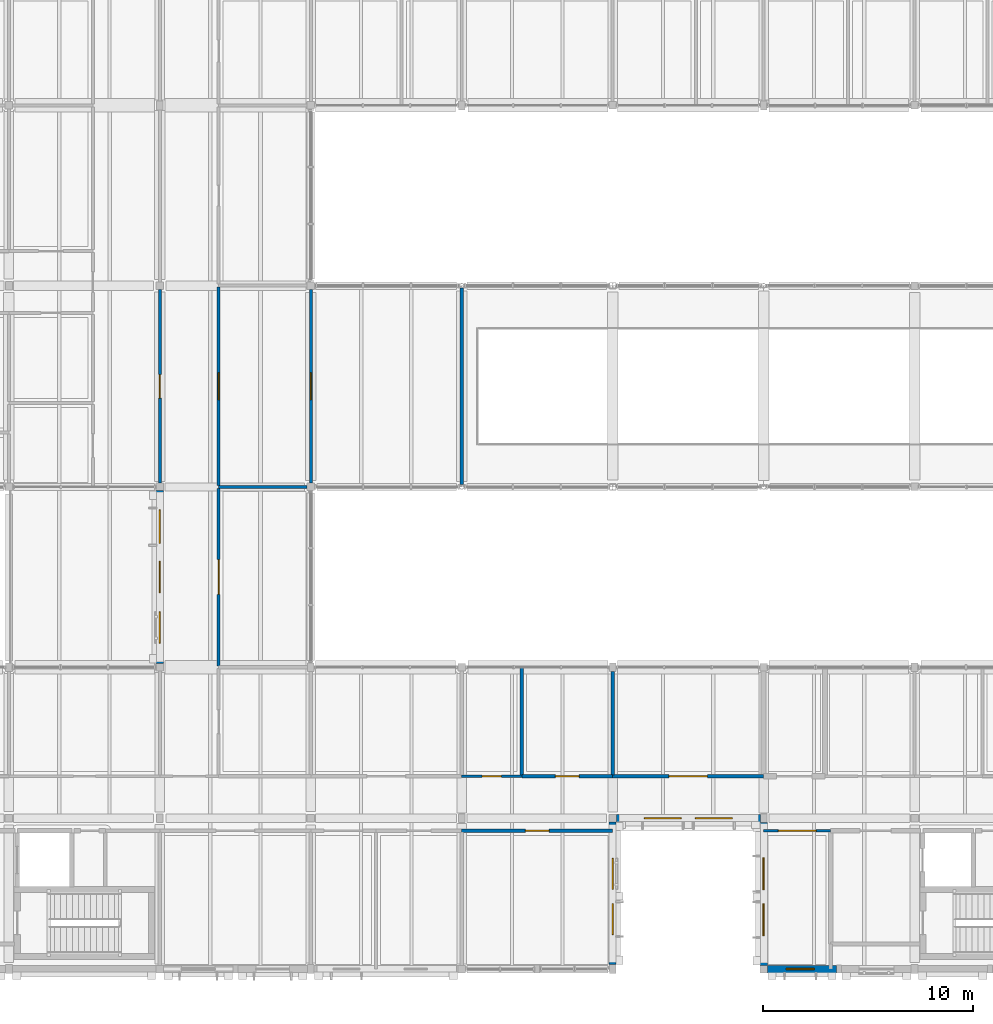
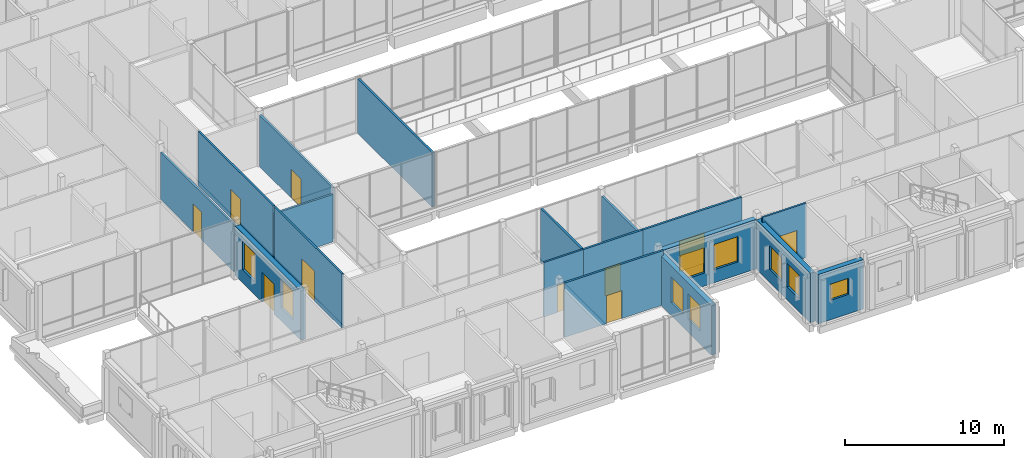
# One storey, part 106 of 146: 18 walls, 10 doors, 9 windows, 19 openings.
"""IFC4 building model written with IfcOpenShell, lengths in metres."""

import ifcopenshell
import ifcopenshell.guid

model = None  # the IFC model being written
_history = None  # IfcOwnerHistory: only IFC2X3 demands one
_inside = {}  # id of a spatial element -> (the spatial element, [elements in it])
_under = {}  # id of a project, library or spatial element -> (it, [spatial elements below it])
_declared = {}  # id of a project -> (the project, [libraries it declares])
_typed = {}  # id of a type object -> (the type object, [elements of that type])
_made_of = {}  # id of a material, layer set ... -> (it, [elements and type objects made of it])


def new_model(schema):
    """Start an empty IFC model of exactly this schema.

    Asked for "IFC4X3", IfcOpenShell would pick the latest addendum, in which some entities
    have other attributes; the version numbers below select the first issue.
    IFC2X3 requires an IfcOwnerHistory on every rooted entity: one is made here for all.
    """
    global model, _history
    if schema == "IFC4X3":
        model = ifcopenshell.file(schema_version=(4, 3, 0, 0))
    else:
        model = ifcopenshell.file(schema=schema)
    _inside.clear()
    _under.clear()
    _declared.clear()
    _typed.clear()
    _made_of.clear()
    _history = None
    if model.schema == "IFC2X3":
        org = make("IfcOrganization", Name="unknown")
        user = make(
            "IfcPersonAndOrganization",
            ThePerson=make("IfcPerson", FamilyName="unknown"),
            TheOrganization=org,
        )
        app = make(
            "IfcApplication",
            ApplicationDeveloper=org,
            Version="unknown",
            ApplicationFullName="unknown",
            ApplicationIdentifier="unknown",
        )
        _history = make(
            "IfcOwnerHistory",
            OwningUser=user,
            OwningApplication=app,
            ChangeAction="ADDED",
            CreationDate=0,
        )
    return model


def make(cls, **values):
    """One entity of the class cls with the attributes given. An attribute that is None is left unset."""
    return model.create_entity(
        cls, **{name: value for name, value in values.items() if value is not None}
    )


def rooted(cls, **values):
    """An entity with a GlobalId (a new one), such as an element, a storey or a relation."""
    return make(cls, GlobalId=ifcopenshell.guid.new(), OwnerHistory=_history, **values)


def si_unit(unit_type, name, prefix=None):
    """IfcSIUnit, for example si_unit("LENGTHUNIT", "METRE", prefix="MILLI")."""
    return make("IfcSIUnit", UnitType=unit_type, Prefix=prefix, Name=name)


def assignment(units):
    """IfcUnitAssignment: the units of a project."""
    return None if units is None else make("IfcUnitAssignment", Units=units)


def point(xyz):
    """IfcCartesianPoint."""
    return None if xyz is None else make("IfcCartesianPoint", Coordinates=xyz)


def direction(xyz):
    """IfcDirection."""
    return None if xyz is None else make("IfcDirection", DirectionRatios=xyz)


def frame(location, z_axis=None, x_axis=None):
    """IfcAxis2Placement3D, a coordinate frame: its origin and axes. An axis left out is left unset."""
    return make(
        "IfcAxis2Placement3D",
        Location=point(location),
        Axis=direction(z_axis),
        RefDirection=direction(x_axis),
    )


def frame_2d(location, x_axis=None):
    """IfcAxis2Placement2D, a coordinate frame in the plane: its origin and x axis."""
    return make(
        "IfcAxis2Placement2D", Location=point(location), RefDirection=direction(x_axis)
    )


def origin():
    """The frame at (0, 0, 0) with its axes left unset."""
    return frame((0.0, 0.0, 0.0))


def place(relative_to, where):
    """IfcLocalPlacement: puts the frame where relative to a parent placement (None: the world)."""
    return make(
        "IfcLocalPlacement", PlacementRelTo=relative_to, RelativePlacement=where
    )


def context(
    kind, dimensions, precision=None, world=None, true_north=None, identifier=None
):
    """IfcGeometricRepresentationContext, for example the 3D "Model" context."""
    return make(
        "IfcGeometricRepresentationContext",
        ContextIdentifier=identifier,
        ContextType=kind,
        CoordinateSpaceDimension=dimensions,
        Precision=precision,
        WorldCoordinateSystem=world,
        TrueNorth=true_north,
    )


def subcontext(parent, identifier, kind, view, scale=None):
    """IfcGeometricRepresentationSubContext, for example "Body" below "Model"."""
    return make(
        "IfcGeometricRepresentationSubContext",
        ContextIdentifier=identifier,
        ContextType=kind,
        ParentContext=parent,
        TargetScale=scale,
        TargetView=view,
    )


def project(units=None, contexts=None):
    """IfcProject with its units and contexts."""
    return rooted(
        "IfcProject",
        Name="project",
        RepresentationContexts=contexts,
        UnitsInContext=assignment(units),
    )


def spatial(cls, under=None, at=None, **own):
    """A site, building, storey or space (cls), placed at a placement, below another one or the project."""
    s = rooted(cls, ObjectPlacement=at, **own)
    if under is not None:
        _under.setdefault(under.id(), (under, []))[1].append(s)
    return s


def profile(cls, at=None, kind="AREA", **sizes):
    """A parametric profile (cls). Its sizes go by their IFC names, for example OverallWidth=200.0."""
    return make(cls, ProfileType=kind, Position=at, **sizes)


def rectangle(**sizes):
    """IfcRectangleProfileDef."""
    return profile("IfcRectangleProfileDef", **sizes)


def extrude(swept, where, along, depth):
    """IfcExtrudedAreaSolid: the profile swept, set in the frame where, extruded along a direction by depth."""
    return make(
        "IfcExtrudedAreaSolid",
        SweptArea=swept,
        Position=where,
        ExtrudedDirection=direction(along),
        Depth=depth,
    )


def shape(context_of_items, identifier, shape_type, items):
    """IfcShapeRepresentation: the items that make up one representation, for example the "Body"."""
    return make(
        "IfcShapeRepresentation",
        ContextOfItems=context_of_items,
        RepresentationIdentifier=identifier,
        RepresentationType=shape_type,
        Items=items,
    )


def material(Name=None, Category=None):
    """IfcMaterial."""
    return make("IfcMaterial", Name=Name, Category=Category)


def layer(
    of_material, thickness, ventilated=None, Name=None, Category=None, Priority=None
):
    """IfcMaterialLayer: one layer of a wall or slab, of a material (None: an air gap)."""
    return make(
        "IfcMaterialLayer",
        Material=of_material,
        LayerThickness=thickness,
        IsVentilated=ventilated,
        Name=Name,
        Category=Category,
        Priority=Priority,
    )


def layer_set(layers, Name=None):
    """IfcMaterialLayerSet."""
    return make("IfcMaterialLayerSet", MaterialLayers=layers, LayerSetName=Name)


def made_of(thing, what):
    """Note that an element or type object is made of a material, layer set ...; save() writes the relation."""
    if what is not None:
        _made_of.setdefault(what.id(), (what, []))[1].append(thing)
    return thing


def type_object(cls, material=None, **own):
    """A type object (cls), such as IfcWallType, which elements share."""
    return made_of(rooted(cls, **own), material)


def element(
    cls,
    number,
    at=None,
    inside=None,
    cuts=None,
    type_object=None,
    material=None,
    context=None,
    identifier="Body",
    shape_type=None,
    held_by="IfcProductDefinitionShape",
    body=None,
    shapes=None,
    **own,
):
    """One element of the class cls, such as IfcWall. Its Tag is "e" and its number.

    at: its placement. inside: the storey or other place that contains it. cuts: it is an
    opening in that element (IfcRelVoidsElement). A single representation is given by context,
    identifier, shape_type and body (its items); several are given by shapes. held_by: the class
    of the entity that holds the representations. save() writes the other relations.
    """
    e = rooted(cls, Tag="e%d" % number, ObjectPlacement=at, **own)
    if body is not None:
        shapes = [shape(context, identifier, shape_type, body)]
    if shapes is not None:
        e.Representation = make(held_by, Representations=shapes)
    if inside is not None:
        _inside.setdefault(inside.id(), (inside, []))[1].append(e)
    if cuts is not None:
        rooted(
            "IfcRelVoidsElement", RelatingBuildingElement=cuts, RelatedOpeningElement=e
        )
    if type_object is not None:
        _typed.setdefault(type_object.id(), (type_object, []))[1].append(e)
    return made_of(e, material)


def fill(opening, filler):
    """IfcRelFillsElement: the door or window that sits in an opening."""
    return rooted(
        "IfcRelFillsElement",
        RelatingOpeningElement=opening,
        RelatedBuildingElement=filler,
    )


def aggregate(whole, parts):
    """IfcRelAggregates: a whole, such as a stair, and the parts it consists of."""
    return rooted("IfcRelAggregates", RelatingObject=whole, RelatedObjects=parts)


def save(model, path):
    """Write the relations noted so far, then the file.

    IfcRelAggregates (storeys below a building ...), IfcRelContainedInSpatialStructure (elements
    in a storey), IfcRelDefinesByType, IfcRelAssociatesMaterial and IfcRelDeclares: one each for
    every whole, place, type object, material and project.
    """
    for whole, parts in _under.values():
        aggregate(whole, parts)
    for where, things in _inside.values():
        rooted(
            "IfcRelContainedInSpatialStructure",
            RelatedElements=things,
            RelatingStructure=where,
        )
    for kind, things in _typed.values():
        rooted("IfcRelDefinesByType", RelatedObjects=things, RelatingType=kind)
    for what, things in _made_of.values():
        rooted("IfcRelAssociatesMaterial", RelatedObjects=things, RelatingMaterial=what)
    for by, libraries in _declared.values():
        rooted("IfcRelDeclares", RelatingContext=by, RelatedDefinitions=libraries)
    model.write(path)


model = new_model("IFC4")

# Units and contexts
model_context = context("Model", 3, precision=1e-05, world=origin(), true_north=direction((0.0, 1.0)))
body_context = subcontext(model_context, "Body", "Model", "MODEL_VIEW")
ifc_project = project(units=[si_unit("LENGTHUNIT", "METRE"), si_unit("AREAUNIT", "SQUARE_METRE"), si_unit("VOLUMEUNIT", "CUBIC_METRE"), si_unit("PLANEANGLEUNIT", "RADIAN"), si_unit("MASSUNIT", "GRAM", prefix="KILO")], contexts=[model_context])

# Site, building, storey
site_placement = place(None, origin())
site = spatial("IfcSite", under=ifc_project, at=site_placement, CompositionType="ELEMENT")
building_placement = place(site_placement, origin())
building = spatial("IfcBuilding", under=site, at=building_placement, Name="Hawrajan Terrace Health Centre", CompositionType="ELEMENT")
storey_placement = place(building_placement, frame((0.0, 0.0, 4.5)))
storey = spatial("IfcBuildingStorey", under=building, at=storey_placement, Name="L01", CompositionType="ELEMENT", Elevation=4.5)

# Wall, opening, door
ifc_material_1 = material(Name="Gypsum board on acoustic stud framing")
ifc_layer_1 = layer(ifc_material_1, 0.139892578125)
ifc_layer_set_1 = layer_set([ifc_layer_1], Name="Gypsum board on acoustic stud framing")
wall_type_1 = type_object("IfcWallType", Name="ClinicalAcousticWall_140", PredefinedType="PARTITIONING", material=ifc_layer_set_1)
wall_1_placement = place(storey_placement, frame((19.0, 27.3798828125, 0.0), z_axis=(0.0, 0.0, 1.0), x_axis=(0.0, 1.0, 0.0)))
wall_1 = element("IfcWall", 1, at=wall_1_placement, inside=storey, type_object=wall_type_1, Name="Interior wall IW-L01-0546", PredefinedType="PARTITIONING", context=body_context, shape_type="SweptSolid", body=[
    extrude(rectangle(XDim=9.240234375, YDim=0.139892578125, at=frame_2d((4.6201171875, 0.0))), origin(), (0.0, 0.0, 1.0), 3.6201171875),
])
opening_1_placement = place(wall_1_placement, frame((4.06005859375, 0.0, 0.0)))
opening_1 = element("IfcOpeningElement", 2, at=opening_1_placement, cuts=wall_1, Name="Opening D-L01-261", PredefinedType="OPENING", context=body_context, shape_type="SweptSolid", body=[
    extrude(rectangle(XDim=1.1201171875, YDim=2.14990234375, at=frame_2d((0.56005859375, 1.074951171875))), frame((0.0, 0.079833984375, 0.0), z_axis=(0.0, -1.0, 0.0), x_axis=(1.0, 0.0, 0.0)), (0.0, 0.0, 1.0), 0.159912109375),
])
ifc_material_2 = material(Name="Hardwood acoustic clinical door leaf and frame", Category="wood")
door_type_1 = type_object("IfcDoorType", Name="DentalSurgeryDoor_1120x2150", OperationType="NOTDEFINED", PredefinedType="DOOR", material=ifc_material_2)
door_1_placement = place(opening_1_placement, origin())
door_1 = element("IfcDoor", 3, at=door_1_placement, inside=storey, type_object=door_type_1, Name="Interior door D-L01-261", OperationType="SINGLE_SWING_LEFT", OverallHeight=2.14990234375, OverallWidth=1.1201171875, PredefinedType="DOOR", context=body_context, shape_type="SweptSolid", body=[
    extrude(rectangle(XDim=1.1201171875, YDim=2.14990234375, at=frame_2d((0.56005859375, 1.074951171875))), frame((0.0, 0.02490234375, 0.0), z_axis=(0.0, -1.0, 0.0), x_axis=(1.0, 0.0, 0.0)), (0.0, 0.0, 1.0), 0.050048828125),
])
fill(opening_1, door_1)

wall_2_placement = place(storey_placement, frame((21.800048828125, 18.669921875, 0.0), z_axis=(0.0, 0.0, 1.0), x_axis=(0.0, 1.0, 0.0)))
wall_2 = element("IfcWall", 4, at=wall_2_placement, inside=storey, type_object=wall_type_1, Name="Interior wall IW-L01-0553", PredefinedType="PARTITIONING", context=body_context, shape_type="SweptSolid", body=[
    extrude(rectangle(XDim=8.4599609375, YDim=0.139892578125, at=frame_2d((4.22998046875, 0.0))), origin(), (0.0, 0.0, 1.0), 4.179931640625),
])
opening_2_placement = place(wall_2_placement, frame((3.39990234375, 0.0, 0.0)))
opening_2 = element("IfcOpeningElement", 5, at=opening_2_placement, cuts=wall_2, Name="Opening D-L01-305", PredefinedType="OPENING", context=body_context, shape_type="SweptSolid", body=[
    extrude(rectangle(XDim=1.659912109375, YDim=2.300048828125, at=frame_2d((0.830078125, 1.14990234375))), frame((0.0, 0.079833984375, 0.0), z_axis=(0.0, -1.0, 0.0), x_axis=(1.0, 0.0, 0.0)), (0.0, 0.0, 1.0), 0.159912109375),
])
door_type_2 = type_object("IfcDoorType", Name="RehabGymDoor_1660x2300", OperationType="DOUBLE_DOOR_SINGLE_SWING", PredefinedType="DOOR", material=ifc_material_2)
door_2_placement = place(opening_2_placement, origin())
door_2 = element("IfcDoor", 6, at=door_2_placement, inside=storey, type_object=door_type_2, Name="Interior door D-L01-305", OperationType="DOUBLE_DOOR_SINGLE_SWING", OverallHeight=2.300048828125, OverallWidth=1.659912109375, PredefinedType="DOOR", context=body_context, shape_type="SweptSolid", body=[
    extrude(rectangle(XDim=1.659912109375, YDim=2.300048828125, at=frame_2d((0.830078125, 1.14990234375))), frame((0.0, 0.02490234375, 0.0), z_axis=(0.0, -1.0, 0.0), x_axis=(1.0, 0.0, 0.0)), (0.0, 0.0, 1.0), 0.050048828125),
])
fill(opening_2, door_2)

wall_3_placement = place(storey_placement, frame((21.800048828125, 27.27001953125, 0.0), z_axis=(0.0, 0.0, 1.0), x_axis=(0.0, 1.0, 0.0)))
wall_3 = element("IfcWall", 7, at=wall_3_placement, inside=storey, type_object=wall_type_1, Name="Interior wall IW-L01-0555", PredefinedType="PARTITIONING", context=body_context, shape_type="SweptSolid", body=[
    extrude(rectangle(XDim=9.4599609375, YDim=0.139892578125, at=frame_2d((4.72998046875, 0.0))), origin(), (0.0, 0.0, 1.0), 4.179931640625),
])
opening_3_placement = place(wall_3_placement, frame((4.090087890625, 0.0, 0.0)))
opening_3 = element("IfcOpeningElement", 8, at=opening_3_placement, cuts=wall_3, Name="Opening D-L01-291", PredefinedType="OPENING", context=body_context, shape_type="SweptSolid", body=[
    extrude(rectangle(XDim=1.280029296875, YDim=2.199951171875, at=frame_2d((0.64013671875, 1.10009765625))), frame((0.0, 0.079833984375, 0.0), z_axis=(0.0, -1.0, 0.0), x_axis=(1.0, 0.0, 0.0)), (0.0, 0.0, 1.0), 0.159912109375),
])
door_type_3 = type_object("IfcDoorType", Name="ExamSuiteDoor_1280x2200", OperationType="NOTDEFINED", PredefinedType="DOOR", material=ifc_material_2)
door_3_placement = place(opening_3_placement, origin())
door_3 = element("IfcDoor", 9, at=door_3_placement, inside=storey, type_object=door_type_3, Name="Interior door D-L01-291", OperationType="SINGLE_SWING_LEFT", OverallHeight=2.199951171875, OverallWidth=1.280029296875, PredefinedType="DOOR", context=body_context, shape_type="SweptSolid", body=[
    extrude(rectangle(XDim=1.280029296875, YDim=2.199951171875, at=frame_2d((0.64013671875, 1.10009765625))), frame((0.0, 0.02490234375, 0.0), z_axis=(0.0, -1.0, 0.0), x_axis=(1.0, 0.0, 0.0)), (0.0, 0.0, 1.0), 0.050048828125),
])
fill(opening_3, door_3)

# Wall
wall_4_placement = place(storey_placement, frame((21.800048828125, 27.199951171875, 0.0), z_axis=(0.0, 0.0, 1.0), x_axis=(1.0, 0.0, 0.0)))
element("IfcWall", 10, at=wall_4_placement, inside=storey, type_object=wall_type_1, Name="Interior wall IW-L01-0556", PredefinedType="PARTITIONING", context=body_context, shape_type="SweptSolid", body=[
    extrude(rectangle(XDim=4.219970703125, YDim=0.139892578125, at=frame_2d((2.10986328125, 0.0))), origin(), (0.0, 0.0, 1.0), 3.659912109375),
])

# Wall, opening, door
wall_5_placement = place(storey_placement, frame((26.199951171875, 27.3798828125, 0.0), z_axis=(0.0, 0.0, 1.0), x_axis=(0.0, 1.0, 0.0)))
wall_5 = element("IfcWall", 11, at=wall_5_placement, inside=storey, type_object=wall_type_1, Name="Interior wall IW-L01-0567", PredefinedType="PARTITIONING", context=body_context, shape_type="SweptSolid", body=[
    extrude(rectangle(XDim=9.240234375, YDim=0.139892578125, at=frame_2d((4.6201171875, 0.0))), origin(), (0.0, 0.0, 1.0), 3.969970703125),
])
opening_4_placement = place(wall_5_placement, frame((3.97998046875, 0.0, 0.0)))
opening_4 = element("IfcOpeningElement", 12, at=opening_4_placement, cuts=wall_5, Name="Opening D-L01-295", PredefinedType="OPENING", context=body_context, shape_type="SweptSolid", body=[
    extrude(rectangle(XDim=1.280029296875, YDim=2.199951171875, at=frame_2d((0.64013671875, 1.10009765625))), frame((0.0, 0.079833984375, 0.0), z_axis=(0.0, -1.0, 0.0), x_axis=(1.0, 0.0, 0.0)), (0.0, 0.0, 1.0), 0.159912109375),
])
door_4_placement = place(opening_4_placement, origin())
door_4 = element("IfcDoor", 13, at=door_4_placement, inside=storey, type_object=door_type_3, Name="Interior door D-L01-295", OperationType="SINGLE_SWING_LEFT", OverallHeight=2.199951171875, OverallWidth=1.280029296875, PredefinedType="DOOR", context=body_context, shape_type="SweptSolid", body=[
    extrude(rectangle(XDim=1.280029296875, YDim=2.199951171875, at=frame_2d((0.64013671875, 1.10009765625))), frame((0.0, 0.02490234375, 0.0), z_axis=(0.0, -1.0, 0.0), x_axis=(1.0, 0.0, 0.0)), (0.0, 0.0, 1.0), 0.050048828125),
])
fill(opening_4, door_4)

wall_6_placement = place(storey_placement, frame((33.39990234375, 13.39990234375, 0.0), z_axis=(0.0, 0.0, 1.0), x_axis=(1.0, 0.0, 0.0)))
wall_6 = element("IfcWall", 14, at=wall_6_placement, inside=storey, type_object=wall_type_1, Name="Interior wall IW-L01-0581", PredefinedType="PARTITIONING", context=body_context, shape_type="SweptSolid", body=[
    extrude(rectangle(XDim=2.8662109375, YDim=0.139892578125, at=frame_2d((1.43310546875, 0.0))), origin(), (0.0, 0.0, 1.0), 4.179931640625),
])
opening_5_placement = place(wall_6_placement, frame((0.972900390625, 0.0, 0.0)))
opening_5 = element("IfcOpeningElement", 15, at=opening_5_placement, cuts=wall_6, Name="Opening D-L01-372", PredefinedType="OPENING", context=body_context, shape_type="SweptSolid", body=[
    extrude(rectangle(XDim=0.919921875, YDim=2.10009765625, at=frame_2d((0.4599609375, 1.050048828125))), frame((0.0, 0.079833984375, 0.0), z_axis=(0.0, -1.0, 0.0), x_axis=(1.0, 0.0, 0.0)), (0.0, 0.0, 1.0), 0.159912109375),
])
door_type_4 = type_object("IfcDoorType", Name="StaffOfficeDoor_920x2100", OperationType="NOTDEFINED", PredefinedType="DOOR", material=ifc_material_2)
door_5_placement = place(opening_5_placement, origin())
door_5 = element("IfcDoor", 16, at=door_5_placement, inside=storey, type_object=door_type_4, Name="Interior door D-L01-372", OperationType="SINGLE_SWING_RIGHT", OverallHeight=2.10009765625, OverallWidth=0.919921875, PredefinedType="DOOR", context=body_context, shape_type="SweptSolid", body=[
    extrude(rectangle(XDim=0.919921875, YDim=2.10009765625, at=frame_2d((0.4599609375, 1.050048828125))), frame((0.0, 0.02490234375, 0.0), z_axis=(0.0, -1.0, 0.0), x_axis=(1.0, 0.0, 0.0)), (0.0, 0.0, 1.0), 0.050048828125),
])
fill(opening_5, door_5)

wall_7_placement = place(storey_placement, frame((47.800048828125, 10.800048828125, 0.0), z_axis=(0.0, 0.0, 1.0), x_axis=(1.0, 0.0, 0.0)))
wall_7 = element("IfcWall", 17, at=wall_7_placement, inside=storey, type_object=wall_type_1, Name="Interior wall IW-L01-0600", PredefinedType="PARTITIONING", context=body_context, shape_type="SweptSolid", body=[
    extrude(rectangle(XDim=3.199951171875, YDim=0.139892578125, at=frame_2d((1.60009765625, 0.0))), origin(), (0.0, 0.0, 1.0), 4.179931640625),
])
opening_6_placement = place(wall_7_placement, frame((0.699951171875, 0.0, 0.0)))
opening_6 = element("IfcOpeningElement", 18, at=opening_6_placement, cuts=wall_7, Name="Opening D-L01-339", PredefinedType="OPENING", context=body_context, shape_type="SweptSolid", body=[
    extrude(rectangle(XDim=1.800048828125, YDim=2.300048828125, at=frame_2d((0.89990234375, 1.14990234375))), frame((0.0, 0.079833984375, 0.0), z_axis=(0.0, -1.0, 0.0), x_axis=(1.0, 0.0, 0.0)), (0.0, 0.0, 1.0), 0.159912109375),
])
door_type_5 = type_object("IfcDoorType", Name="EducationHallDoor_1800x2300", OperationType="DOUBLE_DOOR_SINGLE_SWING", PredefinedType="DOOR", material=ifc_material_2)
door_6_placement = place(opening_6_placement, origin())
door_6 = element("IfcDoor", 19, at=door_6_placement, inside=storey, type_object=door_type_5, Name="Interior door D-L01-339", OperationType="DOUBLE_DOOR_SINGLE_SWING", OverallHeight=2.300048828125, OverallWidth=1.800048828125, PredefinedType="DOOR", context=body_context, shape_type="SweptSolid", body=[
    extrude(rectangle(XDim=1.800048828125, YDim=2.300048828125, at=frame_2d((0.89990234375, 1.14990234375))), frame((0.0, 0.02490234375, 0.0), z_axis=(0.0, -1.0, 0.0), x_axis=(1.0, 0.0, 0.0)), (0.0, 0.0, 1.0), 0.050048828125),
])
fill(opening_6, door_6)

# Wall, openings, windows
ifc_material_3 = material(Name="Precast concrete C40/50", Category="concrete")
ifc_layer_2 = layer(ifc_material_3, 0.340087890625)
ifc_layer_set_2 = layer_set([ifc_layer_2], Name="Precast concrete C40/50")
wall_type_2 = type_object("IfcWallType", Name="CoralAshlarWall_340", PredefinedType="SOLIDWALL", material=ifc_layer_set_2)
wall_8_placement = place(storey_placement, frame((40.60009765625, 4.409912109375, 0.0), z_axis=(0.0, 0.0, 1.0), x_axis=(0.0, 1.0, 0.0)))
wall_8 = element("IfcWall", 20, at=wall_8_placement, inside=storey, type_object=wall_type_2, Name="Exterior wall EW-L01-V05-00-1", PredefinedType="SOLIDWALL", context=body_context, shape_type="SweptSolid", body=[
    extrude(rectangle(XDim=6.81005859375, YDim=0.340087890625, at=frame_2d((3.405029296875, 0.0))), origin(), (0.0, 0.0, 1.0), 3.800048828125),
])
opening_7_placement = place(wall_8_placement, frame((1.43505859375, 0.0, 1.0)))
opening_7 = element("IfcOpeningElement", 21, at=opening_7_placement, cuts=wall_8, Name="Opening W-L01-068", PredefinedType="OPENING", context=body_context, shape_type="SweptSolid", body=[
    extrude(rectangle(XDim=1.47998046875, YDim=1.949951171875, at=frame_2d((0.739990234375, 0.97509765625))), frame((0.0, 0.179931640625, 0.0), z_axis=(0.0, -1.0, 0.0), x_axis=(1.0, 0.0, 0.0)), (0.0, 0.0, 1.0), 0.360107421875),
])
opening_8_placement = place(wall_8_placement, frame((3.594970703125, 0.0, 1.0)))
opening_8 = element("IfcOpeningElement", 22, at=opening_8_placement, cuts=wall_8, Name="Opening W-L01-069", PredefinedType="OPENING", context=body_context, shape_type="SweptSolid", body=[
    extrude(rectangle(XDim=1.47998046875, YDim=1.949951171875, at=frame_2d((0.739990234375, 0.97509765625))), frame((0.0, 0.179931640625, 0.0), z_axis=(0.0, -1.0, 0.0), x_axis=(1.0, 0.0, 0.0)), (0.0, 0.0, 1.0), 0.360107421875),
])
ifc_material_4 = material(Name="Anodized bronze frame with double low-E glazing", Category="glass")
window_type_1 = type_object("IfcWindowType", Name="FacadeWindow_1480x1950", PartitioningType="SINGLE_PANEL", PredefinedType="WINDOW", material=ifc_material_4)
window_1_placement = place(opening_7_placement, origin())
window_1 = element("IfcWindow", 23, at=window_1_placement, inside=storey, type_object=window_type_1, Name="Window W-L01-068", OverallHeight=1.949951171875, OverallWidth=1.47998046875, PartitioningType="SINGLE_PANEL", PredefinedType="WINDOW", context=body_context, shape_type="SweptSolid", body=[
    extrude(rectangle(XDim=1.47998046875, YDim=1.949951171875, at=frame_2d((0.739990234375, 0.97509765625))), frame((0.0, 0.030029296875, 0.0), z_axis=(0.0, -1.0, 0.0), x_axis=(1.0, 0.0, 0.0)), (0.0, 0.0, 1.0), 0.06005859375),
])
fill(opening_7, window_1)
window_2_placement = place(opening_8_placement, origin())
window_2 = element("IfcWindow", 24, at=window_2_placement, inside=storey, type_object=window_type_1, Name="Window W-L01-069", OverallHeight=1.949951171875, OverallWidth=1.47998046875, PartitioningType="SINGLE_PANEL", PredefinedType="WINDOW", context=body_context, shape_type="SweptSolid", body=[
    extrude(rectangle(XDim=1.47998046875, YDim=1.949951171875, at=frame_2d((0.739990234375, 0.97509765625))), frame((0.0, 0.030029296875, 0.0), z_axis=(0.0, -1.0, 0.0), x_axis=(1.0, 0.0, 0.0)), (0.0, 0.0, 1.0), 0.06005859375),
])
fill(opening_8, window_2)

# Wall, openings, windows, door
ifc_layer_3 = layer(ifc_material_3, 0.360107421875)
ifc_layer_set_3 = layer_set([ifc_layer_3], Name="Precast concrete C40/50")
wall_type_3 = type_object("IfcWallType", Name="CoralPodiumWall_360", PredefinedType="SOLIDWALL", material=ifc_layer_set_3)
wall_9_placement = place(storey_placement, frame((19.0, 18.780029296875, 0.0), z_axis=(0.0, 0.0, 1.0), x_axis=(0.0, 1.0, 0.0)))
wall_9 = element("IfcWall", 25, at=wall_9_placement, inside=storey, type_object=wall_type_3, Name="Exterior wall EW-L01-V02-02-1", PredefinedType="SOLIDWALL", context=body_context, shape_type="SweptSolid", body=[
    extrude(rectangle(XDim=8.239990234375, YDim=0.360107421875, at=frame_2d((4.1201171875, 0.0))), origin(), (0.0, 0.0, 1.0), 3.800048828125),
])
opening_9_placement = place(wall_9_placement, frame((3.3701171875, 0.0, 0.0)))
opening_9 = element("IfcOpeningElement", 26, at=opening_9_placement, cuts=wall_9, Name="Opening D-L01-E014", PredefinedType="OPENING", context=body_context, shape_type="SweptSolid", body=[
    extrude(rectangle(XDim=1.5, YDim=2.300048828125, at=frame_2d((0.75, 1.14990234375))), frame((0.0, 0.18994140625, 0.0), z_axis=(0.0, -1.0, 0.0), x_axis=(1.0, 0.0, 0.0)), (0.0, 0.0, 1.0), 0.380126953125),
])
opening_10_placement = place(wall_9_placement, frame((0.97509765625, 0.0, 1.0)))
opening_10 = element("IfcOpeningElement", 27, at=opening_10_placement, cuts=wall_9, Name="Opening W-L01-060", PredefinedType="OPENING", context=body_context, shape_type="SweptSolid", body=[
    extrude(rectangle(XDim=1.47998046875, YDim=2.199951171875, at=frame_2d((0.739990234375, 1.10009765625))), frame((0.0, 0.18994140625, 0.0), z_axis=(0.0, -1.0, 0.0), x_axis=(1.0, 0.0, 0.0)), (0.0, 0.0, 1.0), 0.380126953125),
])
opening_11_placement = place(wall_9_placement, frame((5.72509765625, 0.0, 1.0)))
opening_11 = element("IfcOpeningElement", 28, at=opening_11_placement, cuts=wall_9, Name="Opening W-L01-061", PredefinedType="OPENING", context=body_context, shape_type="SweptSolid", body=[
    extrude(rectangle(XDim=1.60009765625, YDim=2.199951171875, at=frame_2d((0.800048828125, 1.10009765625))), frame((0.0, 0.18994140625, 0.0), z_axis=(0.0, -1.0, 0.0), x_axis=(1.0, 0.0, 0.0)), (0.0, 0.0, 1.0), 0.380126953125),
])
window_type_2 = type_object("IfcWindowType", Name="FacadeWindow_1480x2200", PartitioningType="SINGLE_PANEL", PredefinedType="WINDOW", material=ifc_material_4)
window_3_placement = place(opening_10_placement, origin())
window_3 = element("IfcWindow", 29, at=window_3_placement, inside=storey, type_object=window_type_2, Name="Window W-L01-060", OverallHeight=2.199951171875, OverallWidth=1.47998046875, PartitioningType="SINGLE_PANEL", PredefinedType="WINDOW", context=body_context, shape_type="SweptSolid", body=[
    extrude(rectangle(XDim=1.47998046875, YDim=2.199951171875, at=frame_2d((0.739990234375, 1.10009765625))), frame((0.0, 0.030029296875, 0.0), z_axis=(0.0, -1.0, 0.0), x_axis=(1.0, 0.0, 0.0)), (0.0, 0.0, 1.0), 0.06005859375),
])
fill(opening_10, window_3)
window_type_3 = type_object("IfcWindowType", Name="FacadeWindow_1600x2200", PartitioningType="DOUBLE_PANEL_VERTICAL", PredefinedType="WINDOW", material=ifc_material_4)
window_4_placement = place(opening_11_placement, origin())
window_4 = element("IfcWindow", 30, at=window_4_placement, inside=storey, type_object=window_type_3, Name="Window W-L01-061", OverallHeight=2.199951171875, OverallWidth=1.60009765625, PartitioningType="DOUBLE_PANEL_VERTICAL", PredefinedType="WINDOW", context=body_context, shape_type="SweptSolid", body=[
    extrude(rectangle(XDim=1.60009765625, YDim=2.199951171875, at=frame_2d((0.800048828125, 1.10009765625))), frame((0.0, 0.030029296875, 0.0), z_axis=(0.0, -1.0, 0.0), x_axis=(1.0, 0.0, 0.0)), (0.0, 0.0, 1.0), 0.06005859375),
])
fill(opening_11, window_4)
ifc_material_5 = material(Name="Anodized bronze thermally broken fire-rated glazed door")
door_type_6 = type_object("IfcDoorType", Name="TerraceAccessDoor_1500x2300", OperationType="DOUBLE_DOOR_SINGLE_SWING", PredefinedType="DOOR", material=ifc_material_5)
door_7_placement = place(opening_9_placement, origin())
door_7 = element("IfcDoor", 31, at=door_7_placement, inside=storey, type_object=door_type_6, Name="Portico Terrace Door D-L01-E014", OperationType="DOUBLE_DOOR_SINGLE_SWING", OverallHeight=2.300048828125, OverallWidth=1.5, PredefinedType="DOOR", context=body_context, shape_type="SweptSolid", body=[
    extrude(rectangle(XDim=1.5, YDim=2.300048828125, at=frame_2d((0.75, 1.14990234375))), frame((0.0, 0.02490234375, 0.0), z_axis=(0.0, -1.0, 0.0), x_axis=(1.0, 0.0, 0.0)), (0.0, 0.0, 1.0), 0.050048828125),
])
fill(opening_9, door_7)

# Wall, openings, windows
wall_10_placement = place(storey_placement, frame((40.780029296875, 11.39990234375, 0.0), z_axis=(0.0, 0.0, 1.0), x_axis=(1.0, 0.0, 0.0)))
wall_10 = element("IfcWall", 32, at=wall_10_placement, inside=storey, type_object=wall_type_3, Name="Exterior wall EW-L01-H05-01-1", PredefinedType="SOLIDWALL", context=body_context, shape_type="SweptSolid", body=[
    extrude(rectangle(XDim=6.85986328125, YDim=0.360107421875, at=frame_2d((3.429931640625, 0.0))), origin(), (0.0, 0.0, 1.0), 3.800048828125),
])
opening_12_placement = place(wall_10_placement, frame((1.330078125, 0.0, 1.0)))
opening_12 = element("IfcOpeningElement", 33, at=opening_12_placement, cuts=wall_10, Name="Opening W-L01-070", PredefinedType="OPENING", context=body_context, shape_type="SweptSolid", body=[
    extrude(rectangle(XDim=1.760009765625, YDim=1.949951171875, at=frame_2d((0.8798828125, 0.97509765625))), frame((0.0, 0.18994140625, 0.0), z_axis=(0.0, -1.0, 0.0), x_axis=(1.0, 0.0, 0.0)), (0.0, 0.0, 1.0), 0.380126953125),
])
opening_13_placement = place(wall_10_placement, frame((3.77001953125, 0.0, 1.0)))
opening_13 = element("IfcOpeningElement", 34, at=opening_13_placement, cuts=wall_10, Name="Opening W-L01-071", PredefinedType="OPENING", context=body_context, shape_type="SweptSolid", body=[
    extrude(rectangle(XDim=1.760009765625, YDim=1.949951171875, at=frame_2d((0.8798828125, 0.97509765625))), frame((0.0, 0.18994140625, 0.0), z_axis=(0.0, -1.0, 0.0), x_axis=(1.0, 0.0, 0.0)), (0.0, 0.0, 1.0), 0.380126953125),
])
window_type_4 = type_object("IfcWindowType", Name="FacadeWindow_1760x1950", PartitioningType="DOUBLE_PANEL_VERTICAL", PredefinedType="WINDOW", material=ifc_material_4)
window_5_placement = place(opening_12_placement, origin())
window_5 = element("IfcWindow", 35, at=window_5_placement, inside=storey, type_object=window_type_4, Name="Window W-L01-070", OverallHeight=1.949951171875, OverallWidth=1.760009765625, PartitioningType="DOUBLE_PANEL_VERTICAL", PredefinedType="WINDOW", context=body_context, shape_type="SweptSolid", body=[
    extrude(rectangle(XDim=1.760009765625, YDim=1.949951171875, at=frame_2d((0.8798828125, 0.97509765625))), frame((0.0, 0.030029296875, 0.0), z_axis=(0.0, -1.0, 0.0), x_axis=(1.0, 0.0, 0.0)), (0.0, 0.0, 1.0), 0.06005859375),
])
fill(opening_12, window_5)
window_6_placement = place(opening_13_placement, origin())
window_6 = element("IfcWindow", 36, at=window_6_placement, inside=storey, type_object=window_type_4, Name="Window W-L01-071", OverallHeight=1.949951171875, OverallWidth=1.760009765625, PartitioningType="DOUBLE_PANEL_VERTICAL", PredefinedType="WINDOW", context=body_context, shape_type="SweptSolid", body=[
    extrude(rectangle(XDim=1.760009765625, YDim=1.949951171875, at=frame_2d((0.8798828125, 0.97509765625))), frame((0.0, 0.030029296875, 0.0), z_axis=(0.0, -1.0, 0.0), x_axis=(1.0, 0.0, 0.0)), (0.0, 0.0, 1.0), 0.06005859375),
])
fill(opening_13, window_6)

# Wall, opening, window
wall_11_placement = place(storey_placement, frame((47.97998046875, 4.199951171875, 0.0), z_axis=(0.0, 0.0, 1.0), x_axis=(1.0, 0.0, 0.0)))
wall_11 = element("IfcWall", 37, at=wall_11_placement, inside=storey, type_object=wall_type_3, Name="Exterior wall EW-L01-H06-00-1", PredefinedType="SOLIDWALL", context=body_context, shape_type="SweptSolid", body=[
    extrude(rectangle(XDim=3.300048828125, YDim=0.360107421875, at=frame_2d((1.64990234375, 0.0))), origin(), (0.0, 0.0, 1.0), 3.800048828125),
])
opening_14_placement = place(wall_11_placement, frame((0.909912109375, 0.0, 1.5)))
opening_14 = element("IfcOpeningElement", 38, at=opening_14_placement, cuts=wall_11, Name="Opening W-L01-074", PredefinedType="OPENING", context=body_context, shape_type="SweptSolid", body=[
    extrude(rectangle(XDim=1.320068359375, YDim=1.25, at=frame_2d((0.66015625, 0.625))), frame((0.0, 0.18994140625, 0.0), z_axis=(0.0, -1.0, 0.0), x_axis=(1.0, 0.0, 0.0)), (0.0, 0.0, 1.0), 0.380126953125),
])
window_type_5 = type_object("IfcWindowType", Name="FacadeWindow_1320x1250", PartitioningType="SINGLE_PANEL", PredefinedType="WINDOW", material=ifc_material_4)
window_7_placement = place(opening_14_placement, origin())
window_7 = element("IfcWindow", 39, at=window_7_placement, inside=storey, type_object=window_type_5, Name="Window W-L01-074", OverallHeight=1.25, OverallWidth=1.320068359375, PartitioningType="SINGLE_PANEL", PredefinedType="WINDOW", context=body_context, shape_type="SweptSolid", body=[
    extrude(rectangle(XDim=1.320068359375, YDim=1.25, at=frame_2d((0.66015625, 0.625))), frame((0.0, 0.030029296875, 0.0), z_axis=(0.0, -1.0, 0.0), x_axis=(1.0, 0.0, 0.0)), (0.0, 0.0, 1.0), 0.06005859375),
])
fill(opening_14, window_7)

# Wall, openings, windows
wall_12_placement = place(storey_placement, frame((47.800048828125, 4.3798828125, 0.0), z_axis=(0.0, 0.0, 1.0), x_axis=(0.0, 1.0, 0.0)))
wall_12 = element("IfcWall", 40, at=wall_12_placement, inside=storey, type_object=wall_type_3, Name="Exterior wall EW-L01-V06-00-1", PredefinedType="SOLIDWALL", context=body_context, shape_type="SweptSolid", body=[
    extrude(rectangle(XDim=6.81005859375, YDim=0.360107421875, at=frame_2d((3.405029296875, 0.0))), origin(), (0.0, 0.0, 1.0), 3.800048828125),
])
opening_15_placement = place(wall_12_placement, frame((1.409912109375, 0.0, 1.0)))
opening_15 = element("IfcOpeningElement", 41, at=opening_15_placement, cuts=wall_12, Name="Opening W-L01-076", PredefinedType="OPENING", context=body_context, shape_type="SweptSolid", body=[
    extrude(rectangle(XDim=1.52001953125, YDim=1.800048828125, at=frame_2d((0.760009765625, 0.89990234375))), frame((0.0, 0.18994140625, 0.0), z_axis=(0.0, -1.0, 0.0), x_axis=(1.0, 0.0, 0.0)), (0.0, 0.0, 1.0), 0.380126953125),
])
opening_16_placement = place(wall_12_placement, frame((3.610107421875, 0.0, 1.0)))
opening_16 = element("IfcOpeningElement", 42, at=opening_16_placement, cuts=wall_12, Name="Opening W-L01-077", PredefinedType="OPENING", context=body_context, shape_type="SweptSolid", body=[
    extrude(rectangle(XDim=1.52001953125, YDim=1.800048828125, at=frame_2d((0.760009765625, 0.89990234375))), frame((0.0, 0.18994140625, 0.0), z_axis=(0.0, -1.0, 0.0), x_axis=(1.0, 0.0, 0.0)), (0.0, 0.0, 1.0), 0.380126953125),
])
window_type_6 = type_object("IfcWindowType", Name="FacadeWindow_1520x1800", PartitioningType="DOUBLE_PANEL_VERTICAL", PredefinedType="WINDOW", material=ifc_material_4)
window_8_placement = place(opening_15_placement, origin())
window_8 = element("IfcWindow", 43, at=window_8_placement, inside=storey, type_object=window_type_6, Name="Window W-L01-076", OverallHeight=1.800048828125, OverallWidth=1.52001953125, PartitioningType="DOUBLE_PANEL_VERTICAL", PredefinedType="WINDOW", context=body_context, shape_type="SweptSolid", body=[
    extrude(rectangle(XDim=1.52001953125, YDim=1.800048828125, at=frame_2d((0.760009765625, 0.89990234375))), frame((0.0, 0.030029296875, 0.0), z_axis=(0.0, -1.0, 0.0), x_axis=(1.0, 0.0, 0.0)), (0.0, 0.0, 1.0), 0.06005859375),
])
fill(opening_15, window_8)
window_9_placement = place(opening_16_placement, origin())
window_9 = element("IfcWindow", 44, at=window_9_placement, inside=storey, type_object=window_type_6, Name="Window W-L01-077", OverallHeight=1.800048828125, OverallWidth=1.52001953125, PartitioningType="DOUBLE_PANEL_VERTICAL", PredefinedType="WINDOW", context=body_context, shape_type="SweptSolid", body=[
    extrude(rectangle(XDim=1.52001953125, YDim=1.800048828125, at=frame_2d((0.760009765625, 0.89990234375))), frame((0.0, 0.030029296875, 0.0), z_axis=(0.0, -1.0, 0.0), x_axis=(1.0, 0.0, 0.0)), (0.0, 0.0, 1.0), 0.06005859375),
])
fill(opening_16, window_9)

# Wall, opening, door
ifc_layer_4 = layer(ifc_material_1, 0.159912109375)
ifc_layer_set_4 = layer_set([ifc_layer_4], Name="Gypsum board on acoustic stud framing")
wall_type_4 = type_object("IfcWallType", Name="CorridorFireWall_160", PredefinedType="PARTITIONING", material=ifc_layer_set_4)
wall_13_placement = place(storey_placement, frame((33.39990234375, 10.800048828125, 0.0), z_axis=(0.0, 0.0, 1.0), x_axis=(1.0, 0.0, 0.0)))
wall_13 = element("IfcWall", 45, at=wall_13_placement, inside=storey, type_object=wall_type_4, Name="Interior wall IW-L01-0579", PredefinedType="PARTITIONING", context=body_context, shape_type="SweptSolid", body=[
    extrude(rectangle(XDim=7.2001953125, YDim=0.159912109375, at=frame_2d((3.60009765625, 0.0))), origin(), (0.0, 0.0, 1.0), 4.179931640625),
])
opening_17_placement = place(wall_13_placement, frame((3.030029296875, 0.0, 0.0)))
opening_17 = element("IfcOpeningElement", 46, at=opening_17_placement, cuts=wall_13, Name="Opening D-L01-371", PredefinedType="OPENING", context=body_context, shape_type="SweptSolid", body=[
    extrude(rectangle(XDim=1.139892578125, YDim=2.14990234375, at=frame_2d((0.56982421875, 1.074951171875))), frame((0.0, 0.08984375, 0.0), z_axis=(0.0, -1.0, 0.0), x_axis=(1.0, 0.0, 0.0)), (0.0, 0.0, 1.0), 0.179931640625),
])
ifc_material_6 = material(Name="Timber-veneered acoustic fire-resisting door assembly", Category="wood")
door_type_7 = type_object("IfcDoorType", Name="ClinicalFireDoor_1140x2150", OperationType="NOTDEFINED", PredefinedType="DOOR", material=ifc_material_6)
door_8_placement = place(opening_17_placement, origin())
door_8 = element("IfcDoor", 47, at=door_8_placement, inside=storey, type_object=door_type_7, Name="Interior door D-L01-371", OperationType="SINGLE_SWING_LEFT", OverallHeight=2.14990234375, OverallWidth=1.139892578125, PredefinedType="DOOR", context=body_context, shape_type="SweptSolid", body=[
    extrude(rectangle(XDim=1.139892578125, YDim=2.14990234375, at=frame_2d((0.56982421875, 1.074951171875))), frame((0.0, 0.02490234375, 0.0), z_axis=(0.0, -1.0, 0.0), x_axis=(1.0, 0.0, 0.0)), (0.0, 0.0, 1.0), 0.050048828125),
])
fill(opening_17, door_8)

# Wall
wall_14_placement = place(storey_placement, frame((36.26611328125, 13.469970703125, 0.0), z_axis=(0.0, 0.0, 1.0), x_axis=(0.0, 1.0, 0.0)))
element("IfcWall", 48, at=wall_14_placement, inside=storey, type_object=wall_type_4, Name="Interior wall IW-L01-0586", PredefinedType="PARTITIONING", context=body_context, shape_type="SweptSolid", body=[
    extrude(rectangle(XDim=5.130126953125, YDim=0.159912109375, at=frame_2d((2.56494140625, 0.0))), origin(), (0.0, 0.0, 1.0), 4.179931640625),
])

# Wall, opening, door
wall_15_placement = place(storey_placement, frame((36.26611328125, 13.39990234375, 0.0), z_axis=(0.0, 0.0, 1.0), x_axis=(1.0, 0.0, 0.0)))
wall_15 = element("IfcWall", 49, at=wall_15_placement, inside=storey, type_object=wall_type_4, Name="Interior wall IW-L01-0587", PredefinedType="PARTITIONING", context=body_context, shape_type="SweptSolid", body=[
    extrude(rectangle(XDim=4.333984375, YDim=0.159912109375, at=frame_2d((2.1669921875, 0.0))), origin(), (0.0, 0.0, 1.0), 4.179931640625),
])
opening_18_placement = place(wall_15_placement, frame((1.596923828125, 0.0, 0.0)))
opening_18 = element("IfcOpeningElement", 50, at=opening_18_placement, cuts=wall_15, Name="Opening D-L01-373", PredefinedType="OPENING", context=body_context, shape_type="SweptSolid", body=[
    extrude(rectangle(XDim=1.139892578125, YDim=2.14990234375, at=frame_2d((0.56982421875, 1.074951171875))), frame((0.0, 0.08984375, 0.0), z_axis=(0.0, -1.0, 0.0), x_axis=(1.0, 0.0, 0.0)), (0.0, 0.0, 1.0), 0.179931640625),
])
door_9_placement = place(opening_18_placement, origin())
door_9 = element("IfcDoor", 51, at=door_9_placement, inside=storey, type_object=door_type_7, Name="Interior door D-L01-373", OperationType="SINGLE_SWING_LEFT", OverallHeight=2.14990234375, OverallWidth=1.139892578125, PredefinedType="DOOR", context=body_context, shape_type="SweptSolid", body=[
    extrude(rectangle(XDim=1.139892578125, YDim=2.14990234375, at=frame_2d((0.56982421875, 1.074951171875))), frame((0.0, 0.02490234375, 0.0), z_axis=(0.0, -1.0, 0.0), x_axis=(1.0, 0.0, 0.0)), (0.0, 0.0, 1.0), 0.050048828125),
])
fill(opening_18, door_9)

# Wall
wall_16_placement = place(storey_placement, frame((40.60009765625, 13.469970703125, 0.0), z_axis=(0.0, 0.0, 1.0), x_axis=(0.0, 1.0, 0.0)))
element("IfcWall", 52, at=wall_16_placement, inside=storey, type_object=wall_type_4, Name="Interior wall IW-L01-0590", PredefinedType="PARTITIONING", context=body_context, shape_type="SweptSolid", body=[
    extrude(rectangle(XDim=4.919921875, YDim=0.159912109375, at=frame_2d((2.4599609375, 0.0))), origin(), (0.0, 0.0, 1.0), 3.739990234375),
])

# Wall, opening, door
wall_17_placement = place(storey_placement, frame((40.60009765625, 13.39990234375, 0.0), z_axis=(0.0, 0.0, 1.0), x_axis=(1.0, 0.0, 0.0)))
wall_17 = element("IfcWall", 53, at=wall_17_placement, inside=storey, type_object=wall_type_4, Name="Interior wall IW-L01-0591", PredefinedType="PARTITIONING", context=body_context, shape_type="SweptSolid", body=[
    extrude(rectangle(XDim=7.199951171875, YDim=0.159912109375, at=frame_2d((3.60009765625, 0.0))), origin(), (0.0, 0.0, 1.0), 4.179931640625),
])
opening_19_placement = place(wall_17_placement, frame((2.679931640625, 0.0, 0.0)))
opening_19 = element("IfcOpeningElement", 54, at=opening_19_placement, cuts=wall_17, Name="Opening D-L01-374", PredefinedType="OPENING", context=body_context, shape_type="SweptSolid", body=[
    extrude(rectangle(XDim=1.840087890625, YDim=2.35009765625, at=frame_2d((0.919921875, 1.175048828125))), frame((0.0, 0.08984375, 0.0), z_axis=(0.0, -1.0, 0.0), x_axis=(1.0, 0.0, 0.0)), (0.0, 0.0, 1.0), 0.179931640625),
])
door_type_8 = type_object("IfcDoorType", Name="SurgicalTheatreDoor_1840x2350", OperationType="DOUBLE_DOOR_SINGLE_SWING", PredefinedType="DOOR", material=ifc_material_6)
door_10_placement = place(opening_19_placement, origin())
door_10 = element("IfcDoor", 55, at=door_10_placement, inside=storey, type_object=door_type_8, Name="Interior door D-L01-374", OperationType="DOUBLE_DOOR_SINGLE_SWING", OverallHeight=2.35009765625, OverallWidth=1.840087890625, PredefinedType="DOOR", context=body_context, shape_type="SweptSolid", body=[
    extrude(rectangle(XDim=1.840087890625, YDim=2.35009765625, at=frame_2d((0.919921875, 1.175048828125))), frame((0.0, 0.02490234375, 0.0), z_axis=(0.0, -1.0, 0.0), x_axis=(1.0, 0.0, 0.0)), (0.0, 0.0, 1.0), 0.050048828125),
])
fill(opening_19, door_10)

# Wall
wall_18_placement = place(storey_placement, frame((33.39990234375, 27.3095703125, 0.0), z_axis=(0.0, 0.0, 1.0), x_axis=(0.0, 1.0, 0.0)))
element("IfcWall", 56, at=wall_18_placement, inside=storey, type_object=wall_type_4, Name="Interior wall IW-L01-0929", PredefinedType="PARTITIONING", context=body_context, shape_type="SweptSolid", body=[
    extrude(rectangle(XDim=9.380859375, YDim=0.159912109375, at=frame_2d((4.6904296875, 0.0))), origin(), (0.0, 0.0, 1.0), 4.179931640625),
])

save(model, "model.ifc")
